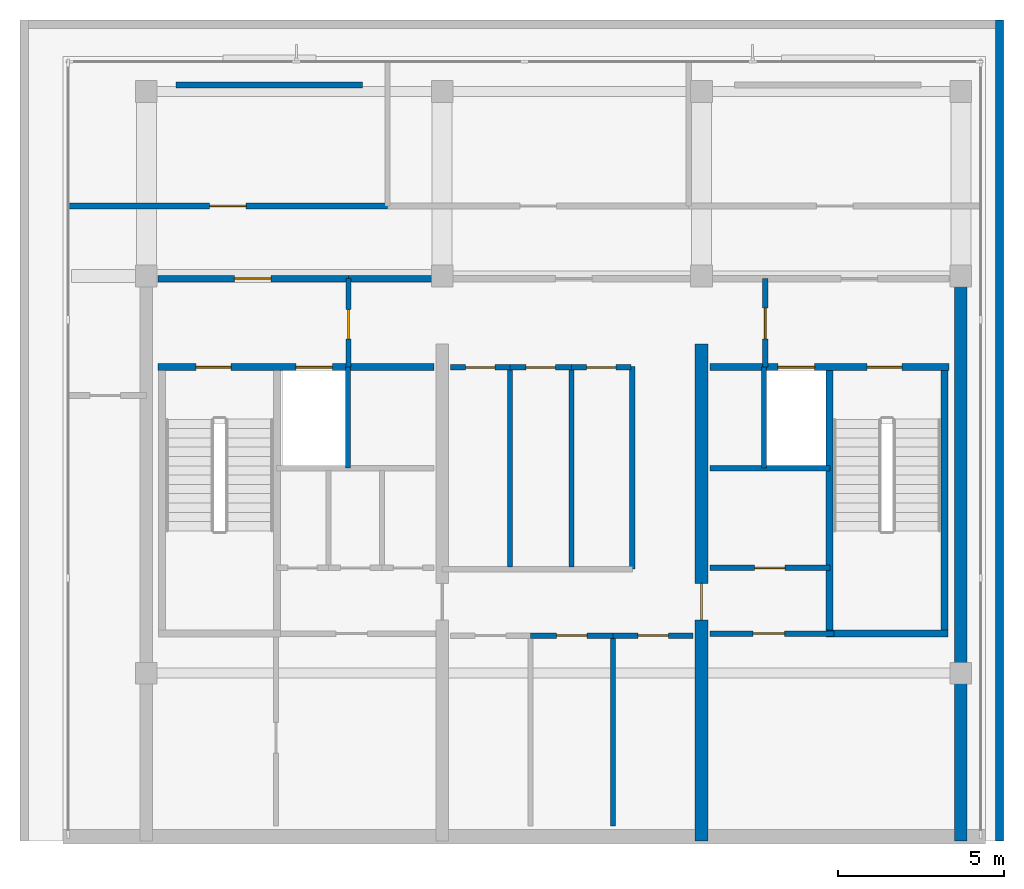
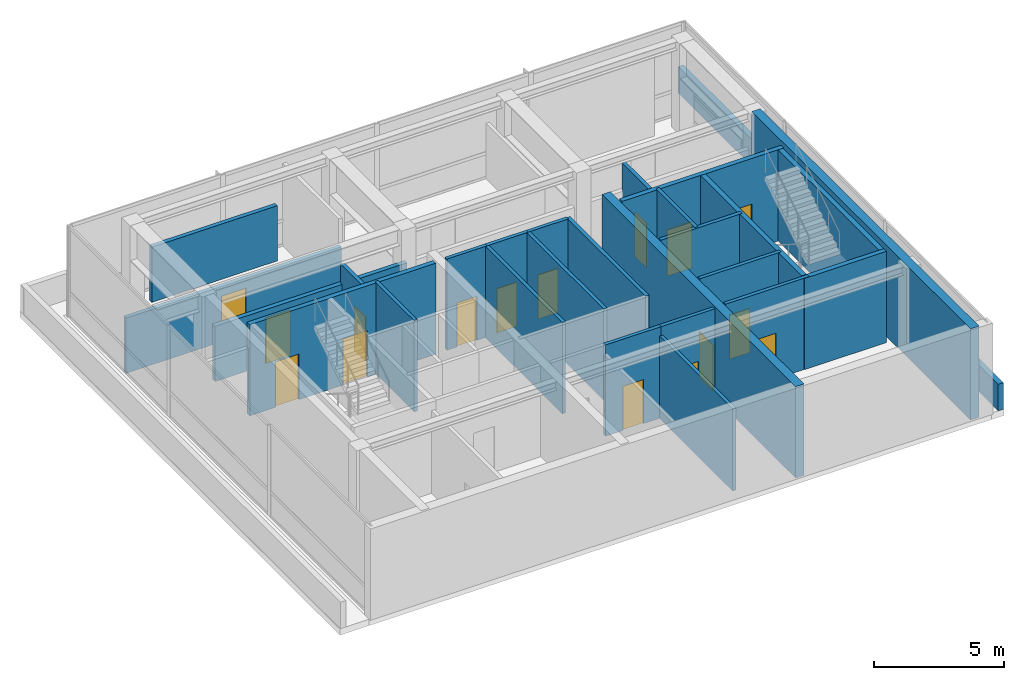
# One storey, part 3 of 5: 28 walls, 16 doors, 16 openings.
"""IFC4 building model written with IfcOpenShell, lengths in metres."""

import ifcopenshell
import ifcopenshell.guid

model = None  # the IFC model being written
_history = None  # IfcOwnerHistory: only IFC2X3 demands one
_inside = {}  # id of a spatial element -> (the spatial element, [elements in it])
_under = {}  # id of a project, library or spatial element -> (it, [spatial elements below it])
_declared = {}  # id of a project -> (the project, [libraries it declares])
_typed = {}  # id of a type object -> (the type object, [elements of that type])
_made_of = {}  # id of a material, layer set ... -> (it, [elements and type objects made of it])


def new_model(schema):
    """Start an empty IFC model of exactly this schema.

    Asked for "IFC4X3", IfcOpenShell would pick the latest addendum, in which some entities
    have other attributes; the version numbers below select the first issue.
    IFC2X3 requires an IfcOwnerHistory on every rooted entity: one is made here for all.
    """
    global model, _history
    if schema == "IFC4X3":
        model = ifcopenshell.file(schema_version=(4, 3, 0, 0))
    else:
        model = ifcopenshell.file(schema=schema)
    _inside.clear()
    _under.clear()
    _declared.clear()
    _typed.clear()
    _made_of.clear()
    _history = None
    if model.schema == "IFC2X3":
        org = make("IfcOrganization", Name="unknown")
        user = make(
            "IfcPersonAndOrganization",
            ThePerson=make("IfcPerson", FamilyName="unknown"),
            TheOrganization=org,
        )
        app = make(
            "IfcApplication",
            ApplicationDeveloper=org,
            Version="unknown",
            ApplicationFullName="unknown",
            ApplicationIdentifier="unknown",
        )
        _history = make(
            "IfcOwnerHistory",
            OwningUser=user,
            OwningApplication=app,
            ChangeAction="ADDED",
            CreationDate=0,
        )
    return model


def make(cls, **values):
    """One entity of the class cls with the attributes given. An attribute that is None is left unset."""
    return model.create_entity(
        cls, **{name: value for name, value in values.items() if value is not None}
    )


def rooted(cls, **values):
    """An entity with a GlobalId (a new one), such as an element, a storey or a relation."""
    return make(cls, GlobalId=ifcopenshell.guid.new(), OwnerHistory=_history, **values)


def si_unit(unit_type, name, prefix=None):
    """IfcSIUnit, for example si_unit("LENGTHUNIT", "METRE", prefix="MILLI")."""
    return make("IfcSIUnit", UnitType=unit_type, Prefix=prefix, Name=name)


def assignment(units):
    """IfcUnitAssignment: the units of a project."""
    return None if units is None else make("IfcUnitAssignment", Units=units)


def point(xyz):
    """IfcCartesianPoint."""
    return None if xyz is None else make("IfcCartesianPoint", Coordinates=xyz)


def direction(xyz):
    """IfcDirection."""
    return None if xyz is None else make("IfcDirection", DirectionRatios=xyz)


def frame(location, z_axis=None, x_axis=None):
    """IfcAxis2Placement3D, a coordinate frame: its origin and axes. An axis left out is left unset."""
    return make(
        "IfcAxis2Placement3D",
        Location=point(location),
        Axis=direction(z_axis),
        RefDirection=direction(x_axis),
    )


def frame_2d(location, x_axis=None):
    """IfcAxis2Placement2D, a coordinate frame in the plane: its origin and x axis."""
    return make(
        "IfcAxis2Placement2D", Location=point(location), RefDirection=direction(x_axis)
    )


def origin():
    """The frame at (0, 0, 0) with its axes left unset."""
    return frame((0.0, 0.0, 0.0))


def place(relative_to, where):
    """IfcLocalPlacement: puts the frame where relative to a parent placement (None: the world)."""
    return make(
        "IfcLocalPlacement", PlacementRelTo=relative_to, RelativePlacement=where
    )


def context(
    kind, dimensions, precision=None, world=None, true_north=None, identifier=None
):
    """IfcGeometricRepresentationContext, for example the 3D "Model" context."""
    return make(
        "IfcGeometricRepresentationContext",
        ContextIdentifier=identifier,
        ContextType=kind,
        CoordinateSpaceDimension=dimensions,
        Precision=precision,
        WorldCoordinateSystem=world,
        TrueNorth=true_north,
    )


def subcontext(parent, identifier, kind, view, scale=None):
    """IfcGeometricRepresentationSubContext, for example "Body" below "Model"."""
    return make(
        "IfcGeometricRepresentationSubContext",
        ContextIdentifier=identifier,
        ContextType=kind,
        ParentContext=parent,
        TargetScale=scale,
        TargetView=view,
    )


def project(units=None, contexts=None):
    """IfcProject with its units and contexts."""
    return rooted(
        "IfcProject",
        Name="project",
        RepresentationContexts=contexts,
        UnitsInContext=assignment(units),
    )


def spatial(cls, under=None, at=None, **own):
    """A site, building, storey or space (cls), placed at a placement, below another one or the project."""
    s = rooted(cls, ObjectPlacement=at, **own)
    if under is not None:
        _under.setdefault(under.id(), (under, []))[1].append(s)
    return s


def profile(cls, at=None, kind="AREA", **sizes):
    """A parametric profile (cls). Its sizes go by their IFC names, for example OverallWidth=200.0."""
    return make(cls, ProfileType=kind, Position=at, **sizes)


def rectangle(**sizes):
    """IfcRectangleProfileDef."""
    return profile("IfcRectangleProfileDef", **sizes)


def extrude(swept, where, along, depth):
    """IfcExtrudedAreaSolid: the profile swept, set in the frame where, extruded along a direction by depth."""
    return make(
        "IfcExtrudedAreaSolid",
        SweptArea=swept,
        Position=where,
        ExtrudedDirection=direction(along),
        Depth=depth,
    )


def shape(context_of_items, identifier, shape_type, items):
    """IfcShapeRepresentation: the items that make up one representation, for example the "Body"."""
    return make(
        "IfcShapeRepresentation",
        ContextOfItems=context_of_items,
        RepresentationIdentifier=identifier,
        RepresentationType=shape_type,
        Items=items,
    )


def material(Name=None, Category=None):
    """IfcMaterial."""
    return make("IfcMaterial", Name=Name, Category=Category)


def layer(
    of_material, thickness, ventilated=None, Name=None, Category=None, Priority=None
):
    """IfcMaterialLayer: one layer of a wall or slab, of a material (None: an air gap)."""
    return make(
        "IfcMaterialLayer",
        Material=of_material,
        LayerThickness=thickness,
        IsVentilated=ventilated,
        Name=Name,
        Category=Category,
        Priority=Priority,
    )


def layer_set(layers, Name=None):
    """IfcMaterialLayerSet."""
    return make("IfcMaterialLayerSet", MaterialLayers=layers, LayerSetName=Name)


def made_of(thing, what):
    """Note that an element or type object is made of a material, layer set ...; save() writes the relation."""
    if what is not None:
        _made_of.setdefault(what.id(), (what, []))[1].append(thing)
    return thing


def type_object(cls, material=None, **own):
    """A type object (cls), such as IfcWallType, which elements share."""
    return made_of(rooted(cls, **own), material)


def element(
    cls,
    number,
    at=None,
    inside=None,
    cuts=None,
    type_object=None,
    material=None,
    context=None,
    identifier="Body",
    shape_type=None,
    held_by="IfcProductDefinitionShape",
    body=None,
    shapes=None,
    **own,
):
    """One element of the class cls, such as IfcWall. Its Tag is "e" and its number.

    at: its placement. inside: the storey or other place that contains it. cuts: it is an
    opening in that element (IfcRelVoidsElement). A single representation is given by context,
    identifier, shape_type and body (its items); several are given by shapes. held_by: the class
    of the entity that holds the representations. save() writes the other relations.
    """
    e = rooted(cls, Tag="e%d" % number, ObjectPlacement=at, **own)
    if body is not None:
        shapes = [shape(context, identifier, shape_type, body)]
    if shapes is not None:
        e.Representation = make(held_by, Representations=shapes)
    if inside is not None:
        _inside.setdefault(inside.id(), (inside, []))[1].append(e)
    if cuts is not None:
        rooted(
            "IfcRelVoidsElement", RelatingBuildingElement=cuts, RelatedOpeningElement=e
        )
    if type_object is not None:
        _typed.setdefault(type_object.id(), (type_object, []))[1].append(e)
    return made_of(e, material)


def fill(opening, filler):
    """IfcRelFillsElement: the door or window that sits in an opening."""
    return rooted(
        "IfcRelFillsElement",
        RelatingOpeningElement=opening,
        RelatedBuildingElement=filler,
    )


def aggregate(whole, parts):
    """IfcRelAggregates: a whole, such as a stair, and the parts it consists of."""
    return rooted("IfcRelAggregates", RelatingObject=whole, RelatedObjects=parts)


def save(model, path):
    """Write the relations noted so far, then the file.

    IfcRelAggregates (storeys below a building ...), IfcRelContainedInSpatialStructure (elements
    in a storey), IfcRelDefinesByType, IfcRelAssociatesMaterial and IfcRelDeclares: one each for
    every whole, place, type object, material and project.
    """
    for whole, parts in _under.values():
        aggregate(whole, parts)
    for where, things in _inside.values():
        rooted(
            "IfcRelContainedInSpatialStructure",
            RelatedElements=things,
            RelatingStructure=where,
        )
    for kind, things in _typed.values():
        rooted("IfcRelDefinesByType", RelatedObjects=things, RelatingType=kind)
    for what, things in _made_of.values():
        rooted("IfcRelAssociatesMaterial", RelatedObjects=things, RelatingMaterial=what)
    for by, libraries in _declared.values():
        rooted("IfcRelDeclares", RelatingContext=by, RelatedDefinitions=libraries)
    model.write(path)


model = new_model("IFC4")

# Units and contexts
model_context = context("Model", 3, precision=1e-05, world=origin(), true_north=direction((0.0, 1.0)))
body_context = subcontext(model_context, "Body", "Model", "MODEL_VIEW")
ifc_project = project(units=[si_unit("LENGTHUNIT", "METRE"), si_unit("AREAUNIT", "SQUARE_METRE"), si_unit("VOLUMEUNIT", "CUBIC_METRE"), si_unit("PLANEANGLEUNIT", "RADIAN"), si_unit("MASSUNIT", "GRAM", prefix="KILO")], contexts=[model_context])

# Site, building, storey
site_placement = place(None, origin())
site = spatial("IfcSite", under=ifc_project, at=site_placement, CompositionType="ELEMENT")
building_placement = place(site_placement, origin())
building = spatial("IfcBuilding", under=site, at=building_placement, Name="Qalmaran Belvedere Hotel", CompositionType="ELEMENT")
storey_placement = place(building_placement, frame((0.0, 0.0, 303.300048828125)))
storey = spatial("IfcBuildingStorey", under=building, at=storey_placement, Name="C02", CompositionType="ELEMENT", Elevation=303.300048828125)

# Wall
ifc_material_1 = material(Name="Concrete C50/60", Category="concrete")
ifc_layer_1 = layer(ifc_material_1, 0.3798828125, Name="Concrete C50/60")
ifc_layer_set_1 = layer_set([ifc_layer_1], Name="Concrete C50/60")
wall_type_1 = type_object("IfcWallType", Name="WL-CORE-380-C50", PredefinedType="SHEAR", material=ifc_layer_set_1)
wall_1_placement = place(storey_placement, frame((44.800048828125, 3.5, 0.0), z_axis=(0.0, 0.0, 1.0), x_axis=(0.0, 1.0, 0.0)))
element("IfcWall", 1, at=wall_1_placement, inside=storey, type_object=wall_type_1, Name="C02 East Core Shear Wall", PredefinedType="SHEAR", context=body_context, shape_type="SweptSolid", body=[
    extrude(rectangle(XDim=16.89990234375, YDim=0.3798828125, at=frame_2d((8.449951171875, 0.0))), origin(), (0.0, 0.0, 1.0), 4.300048828125),
])

# Wall, opening, door
wall_2_placement = place(storey_placement, frame((37.0, 3.5, 0.0), z_axis=(0.0, 0.0, 1.0), x_axis=(0.0, 1.0, 0.0)))
wall_2 = element("IfcWall", 2, at=wall_2_placement, inside=storey, type_object=wall_type_1, Name="C02 Core East Spine Shear Wall", PredefinedType="SHEAR", context=body_context, shape_type="SweptSolid", body=[
    extrude(rectangle(XDim=14.949951171875, YDim=0.3798828125, at=frame_2d((7.47509765625, 0.0))), origin(), (0.0, 0.0, 1.0), 4.300048828125),
])
opening_1_placement = place(wall_2_placement, frame((6.64990234375, 0.0, 0.0)))
opening_1 = element("IfcOpeningElement", 3, at=opening_1_placement, cuts=wall_2, Name="Opening FD90", PredefinedType="OPENING", context=body_context, shape_type="SweptSolid", body=[
    extrude(rectangle(XDim=1.10009765625, YDim=2.14990234375, at=frame_2d((0.550048828125, 1.074951171875))), frame((0.0, 0.199951171875, 0.0), z_axis=(0.0, -1.0, 0.0), x_axis=(1.0, 0.0, 0.0)), (0.0, 0.0, 1.0), 0.39990234375),
])
ifc_material_2 = material(Name="Steel S355JR", Category="steel")
door_type_1 = type_object("IfcDoorType", Name="DR-FD90-1100X2150", OperationType="NOTDEFINED", PredefinedType="DOOR", material=ifc_material_2)
door_1_placement = place(opening_1_placement, origin())
door_1 = element("IfcDoor", 4, at=door_1_placement, inside=storey, type_object=door_type_1, Name="C02 Core East Cross-Lobby Door", OperationType="SINGLE_SWING_LEFT", OverallHeight=2.14990234375, OverallWidth=1.10009765625, PredefinedType="DOOR", context=body_context, shape_type="SweptSolid", body=[
    extrude(rectangle(XDim=1.10009765625, YDim=2.14990234375, at=frame_2d((0.550048828125, 1.074951171875))), frame((0.0, 0.02490234375, 0.0), z_axis=(0.0, -1.0, 0.0), x_axis=(1.0, 0.0, 0.0)), (0.0, 0.0, 1.0), 0.050048828125),
])
fill(opening_1, door_1)

# Walls
ifc_material_3 = material(Name="Anodised Bronze Cladding")
ifc_layer_2 = layer(ifc_material_3, 0.18505859375, Name="Anodised Bronze Cladding")
ifc_layer_set_2 = layer_set([ifc_layer_2], Name="Anodised Bronze Cladding")
wall_type_2 = type_object("IfcWallType", Name="WL-CRN-SCRN-185", PredefinedType="ELEMENTEDWALL", material=ifc_layer_set_2)
wall_3_placement = place(storey_placement, frame((21.199951171875, 26.25, 0.0), z_axis=(0.0, 0.0, 1.0), x_axis=(1.0, 0.0, 0.0)))
element("IfcWall", 5, at=wall_3_placement, inside=storey, type_object=wall_type_2, Name="C02 Crown Acoustic Screen N1", PredefinedType="ELEMENTEDWALL", context=body_context, shape_type="SweptSolid", body=[
    extrude(rectangle(XDim=5.60009765625, YDim=0.18505859375, at=frame_2d((2.800048828125, 0.0))), origin(), (0.0, 0.0, 1.0), 2.60498046875),
])
ifc_material_4 = material(Name="Gypsum Stud Partition")
ifc_layer_3 = layer(ifc_material_4, 0.14990234375, Name="Gypsum Stud Partition")
ifc_layer_set_3 = layer_set([ifc_layer_3], Name="Gypsum Stud Partition")
wall_type_3 = type_object("IfcWallType", Name="WL-INT-150-EI120", PredefinedType="PARTITIONING", material=ifc_layer_set_3)
for number, where, z_axis, x_axis, name in (
    (6, (26.360107421875, 14.719970703125, 0.0), (0.0, 0.0, 1.0), (0.0, 1.0, 0.0), "C02 Partition WL-FF1M-C02"),
    (7, (38.8798828125, 14.719970703125, 0.0), (0.0, 0.0, 1.0), (0.0, 1.0, 0.0), "C02 Partition WL-FF2M-C02"),
):
    element("IfcWall", number, at=place(storey_placement, frame(where, z_axis=z_axis, x_axis=x_axis)), inside=storey, type_object=wall_type_3, Name=name, PredefinedType="PARTITIONING", context=body_context, shape_type="SweptSolid", body=[
        extrude(rectangle(XDim=3.0400390625, YDim=0.14990234375, at=frame_2d((1.52001953125, 0.0))), origin(), (0.0, 0.0, 1.0), 4.300048828125),
    ])
ifc_layer_4 = layer(ifc_material_4, 0.14990234375, Name="Gypsum Stud Partition")
ifc_layer_set_4 = layer_set([ifc_layer_4], Name="Gypsum Stud Partition")
wall_type_4 = type_object("IfcWallType", Name="WL-INT-150-EI60", PredefinedType="PARTITIONING", material=ifc_layer_set_4)
wall_4_placement = place(storey_placement, frame((34.341064453125, 3.949951171875, 0.0), z_axis=(0.0, 0.0, 1.0), x_axis=(0.0, 1.0, 0.0)))
element("IfcWall", 8, at=wall_4_placement, inside=storey, type_object=wall_type_4, Name="C02 Partition WL-C02-KPLV2", PredefinedType="PARTITIONING", context=body_context, shape_type="SweptSolid", body=[
    extrude(rectangle(XDim=5.72998046875, YDim=0.14990234375, at=frame_2d((2.864990234375, 0.0))), origin(), (0.0, 0.0, 1.0), 3.885009765625),
])
for number, where, z_axis, x_axis, name in (
    (9, (31.241943359375, 11.739990234375, 0.0), (0.0, 0.0, 1.0), (0.0, 1.0, 0.0), "C02 Partition WL-C02-KPMV1"),
    (10, (33.088134765625, 11.739990234375, 0.0), (0.0, 0.0, 1.0), (0.0, 1.0, 0.0), "C02 Partition WL-C02-KPMV2"),
):
    element("IfcWall", number, at=place(storey_placement, frame(where, z_axis=z_axis, x_axis=x_axis)), inside=storey, type_object=wall_type_4, Name=name, PredefinedType="PARTITIONING", context=body_context, shape_type="SweptSolid", body=[
        extrude(rectangle(XDim=6.010009765625, YDim=0.14990234375, at=frame_2d((3.0048828125, 0.0))), origin(), (0.0, 0.0, 1.0), 4.300048828125),
    ])

# Wall, opening, door
ifc_layer_5 = layer(ifc_material_4, 0.159912109375, Name="Gypsum Stud Partition")
ifc_layer_set_5 = layer_set([ifc_layer_5], Name="Gypsum Stud Partition")
wall_type_5 = type_object("IfcWallType", Name="WL-INT-160-EI120", PredefinedType="PARTITIONING", material=ifc_layer_set_5)
wall_5_placement = place(storey_placement, frame((26.3798828125, 17.760009765625, 0.0), z_axis=(0.0, 0.0, 1.0), x_axis=(0.0, 1.0, 0.0)))
wall_5 = element("IfcWall", 11, at=wall_5_placement, inside=storey, type_object=wall_type_5, Name="C02 Partition WL-FFSV1-C02", PredefinedType="PARTITIONING", context=body_context, shape_type="SweptSolid", body=[
    extrude(rectangle(XDim=2.659912109375, YDim=0.159912109375, at=frame_2d((1.330078125, 0.0))), origin(), (0.0, 0.0, 1.0), 3.511962890625),
])
opening_2_placement = place(wall_5_placement, frame((0.85009765625, 0.0, 0.0)))
opening_2 = element("IfcOpeningElement", 12, at=opening_2_placement, cuts=wall_5, Name="Opening FD60B", PredefinedType="OPENING", context=body_context, shape_type="SweptSolid", body=[
    extrude(rectangle(XDim=0.8798828125, YDim=2.080078125, at=frame_2d((0.43994140625, 1.0400390625))), frame((0.0, 0.08984375, 0.0), z_axis=(0.0, -1.0, 0.0), x_axis=(1.0, 0.0, 0.0)), (0.0, 0.0, 1.0), 0.179931640625),
])
door_type_2 = type_object("IfcDoorType", Name="DR-FD60B-880X2080", OperationType="NOTDEFINED", PredefinedType="DOOR", material=ifc_material_2)
door_2_placement = place(opening_2_placement, origin())
door_2 = element("IfcDoor", 13, at=door_2_placement, inside=storey, type_object=door_type_2, Name="C02 Service Lobby West Door", OperationType="SINGLE_SWING_RIGHT", OverallHeight=2.080078125, OverallWidth=0.8798828125, PredefinedType="DOOR", context=body_context, shape_type="SweptSolid", body=[
    extrude(rectangle(XDim=0.8798828125, YDim=2.080078125, at=frame_2d((0.43994140625, 1.0400390625))), frame((0.0, 0.02490234375, 0.0), z_axis=(0.0, -1.0, 0.0), x_axis=(1.0, 0.0, 0.0)), (0.0, 0.0, 1.0), 0.050048828125),
])
fill(opening_2, door_2)

wall_6_placement = place(storey_placement, frame((38.919921875, 17.760009765625, 0.0), z_axis=(0.0, 0.0, 1.0), x_axis=(0.0, 1.0, 0.0)))
wall_6 = element("IfcWall", 14, at=wall_6_placement, inside=storey, type_object=wall_type_5, Name="C02 Partition WL-FFSV2-C02", PredefinedType="PARTITIONING", context=body_context, shape_type="SweptSolid", body=[
    extrude(rectangle(XDim=2.659912109375, YDim=0.159912109375, at=frame_2d((1.330078125, 0.0))), origin(), (0.0, 0.0, 1.0), 3.885009765625),
])
opening_3_placement = place(wall_6_placement, frame((1.77001953125, 0.0, 0.0), z_axis=(0.0, 0.0, 1.0), x_axis=(-1.0, 0.0, 0.0)))
opening_3 = element("IfcOpeningElement", 15, at=opening_3_placement, cuts=wall_6, Name="Opening FD60S1", PredefinedType="OPENING", context=body_context, shape_type="SweptSolid", body=[
    extrude(rectangle(XDim=0.919921875, YDim=2.080078125, at=frame_2d((0.4599609375, 1.0400390625))), frame((0.0, 0.08984375, 0.0), z_axis=(0.0, -1.0, 0.0), x_axis=(1.0, 0.0, 0.0)), (0.0, 0.0, 1.0), 0.179931640625),
])
ifc_material_5 = material(Name="Engineered Oak Veneer")
door_type_3 = type_object("IfcDoorType", Name="DR-FD60S-920X2080", OperationType="NOTDEFINED", PredefinedType="DOOR", material=ifc_material_5)
door_3_placement = place(opening_3_placement, origin())
door_3 = element("IfcDoor", 16, at=door_3_placement, inside=storey, type_object=door_type_3, Name="C02 Service Lobby East Door", OperationType="SINGLE_SWING_LEFT", OverallHeight=2.080078125, OverallWidth=0.919921875, PredefinedType="DOOR", context=body_context, shape_type="SweptSolid", body=[
    extrude(rectangle(XDim=0.919921875, YDim=2.080078125, at=frame_2d((0.4599609375, 1.0400390625))), frame((0.0, 0.02490234375, 0.0), z_axis=(0.0, -1.0, 0.0), x_axis=(1.0, 0.0, 0.0)), (0.0, 0.0, 1.0), 0.050048828125),
])
fill(opening_3, door_3)

# Wall
wall_7_placement = place(storey_placement, frame((37.25, 14.719970703125, 0.0), z_axis=(0.0, 0.0, 1.0), x_axis=(1.0, 0.0, 0.0)))
element("IfcWall", 17, at=wall_7_placement, inside=storey, type_object=wall_type_5, Name="C02 Partition WL-FF2S-C02", PredefinedType="PARTITIONING", context=body_context, shape_type="SweptSolid", body=[
    extrude(rectangle(XDim=3.610107421875, YDim=0.159912109375, at=frame_2d((1.80517578125, 0.0))), origin(), (0.0, 0.0, 1.0), 4.300048828125),
])

# Wall, opening, door
ifc_layer_6 = layer(ifc_material_4, 0.159912109375, Name="Gypsum Stud Partition")
ifc_layer_set_6 = layer_set([ifc_layer_6], Name="Gypsum Stud Partition")
wall_type_6 = type_object("IfcWallType", Name="WL-INT-160-EI60", PredefinedType="PARTITIONING", material=ifc_layer_set_6)
wall_8_placement = place(storey_placement, frame((37.25, 11.719970703125, 0.0), z_axis=(0.0, 0.0, 1.0), x_axis=(1.0, 0.0, 0.0)))
wall_8 = element("IfcWall", 18, at=wall_8_placement, inside=storey, type_object=wall_type_6, Name="C02 Partition WL-C02-KEE1", PredefinedType="PARTITIONING", context=body_context, shape_type="SweptSolid", body=[
    extrude(rectangle(XDim=3.610107421875, YDim=0.159912109375, at=frame_2d((1.80517578125, 0.0))), origin(), (0.0, 0.0, 1.0), 4.300048828125),
])
opening_4_placement = place(wall_8_placement, frame((1.344970703125, 0.0, 0.0)))
opening_4 = element("IfcOpeningElement", 19, at=opening_4_placement, cuts=wall_8, Name="Opening FD60S1", PredefinedType="OPENING", context=body_context, shape_type="SweptSolid", body=[
    extrude(rectangle(XDim=0.919921875, YDim=2.080078125, at=frame_2d((0.4599609375, 1.0400390625))), frame((0.0, 0.08984375, 0.0), z_axis=(0.0, -1.0, 0.0), x_axis=(1.0, 0.0, 0.0)), (0.0, 0.0, 1.0), 0.179931640625),
])
door_4_placement = place(opening_4_placement, origin())
door_4 = element("IfcDoor", 20, at=door_4_placement, inside=storey, type_object=door_type_3, Name="C02 Fire Main Valve Plant Room Door", OperationType="SINGLE_SWING_RIGHT", OverallHeight=2.080078125, OverallWidth=0.919921875, PredefinedType="DOOR", context=body_context, shape_type="SweptSolid", body=[
    extrude(rectangle(XDim=0.919921875, YDim=2.080078125, at=frame_2d((0.4599609375, 1.0400390625))), frame((0.0, 0.02490234375, 0.0), z_axis=(0.0, -1.0, 0.0), x_axis=(1.0, 0.0, 0.0)), (0.0, 0.0, 1.0), 0.050048828125),
])
fill(opening_4, door_4)

wall_9_placement = place(storey_placement, frame((37.25, 9.739990234375, 0.0), z_axis=(0.0, 0.0, 1.0), x_axis=(1.0, 0.0, 0.0)))
wall_9 = element("IfcWall", 21, at=wall_9_placement, inside=storey, type_object=wall_type_6, Name="C02 Partition WL-PHFR-C02", PredefinedType="PARTITIONING", context=body_context, shape_type="SweptSolid", body=[
    extrude(rectangle(XDim=3.72998046875, YDim=0.159912109375, at=frame_2d((1.864990234375, 0.0))), origin(), (0.0, 0.0, 1.0), 4.300048828125),
])
opening_5_placement = place(wall_9_placement, frame((2.25, 0.0, 0.0), z_axis=(0.0, 0.0, 1.0), x_axis=(-1.0, 0.0, 0.0)))
opening_5 = element("IfcOpeningElement", 22, at=opening_5_placement, cuts=wall_9, Name="Opening FD60", PredefinedType="OPENING", context=body_context, shape_type="SweptSolid", body=[
    extrude(rectangle(XDim=0.949951171875, YDim=2.14990234375, at=frame_2d((0.47509765625, 1.074951171875))), frame((0.0, 0.08984375, 0.0), z_axis=(0.0, -1.0, 0.0), x_axis=(1.0, 0.0, 0.0)), (0.0, 0.0, 1.0), 0.179931640625),
])
door_type_4 = type_object("IfcDoorType", Name="DR-FD60-950X2150", OperationType="NOTDEFINED", PredefinedType="DOOR", material=ifc_material_5)
door_5_placement = place(opening_5_placement, origin())
door_5 = element("IfcDoor", 23, at=door_5_placement, inside=storey, type_object=door_type_4, Name="C02 Freed PH Room Door", OperationType="SINGLE_SWING_LEFT", OverallHeight=2.14990234375, OverallWidth=0.949951171875, PredefinedType="DOOR", context=body_context, shape_type="SweptSolid", body=[
    extrude(rectangle(XDim=0.949951171875, YDim=2.14990234375, at=frame_2d((0.47509765625, 1.074951171875))), frame((0.0, 0.02490234375, 0.0), z_axis=(0.0, -1.0, 0.0), x_axis=(1.0, 0.0, 0.0)), (0.0, 0.0, 1.0), 0.050048828125),
])
fill(opening_5, door_5)

# Wall
wall_10_placement = place(storey_placement, frame((34.919921875, 11.679931640625, 0.0), z_axis=(0.0, 0.0, 1.0), x_axis=(0.0, 1.0, 0.0)))
element("IfcWall", 24, at=wall_10_placement, inside=storey, type_object=wall_type_6, Name="C02 Partition WL-CLLV-C02", PredefinedType="PARTITIONING", context=body_context, shape_type="SweptSolid", body=[
    extrude(rectangle(XDim=6.10009765625, YDim=0.159912109375, at=frame_2d((3.050048828125, 0.0))), origin(), (0.0, 0.0, 1.0), 4.300048828125),
])

# Wall, opening, door
wall_11_placement = place(storey_placement, frame((31.85888671875, 9.679931640625, 0.0), z_axis=(0.0, 0.0, 1.0), x_axis=(1.0, 0.0, 0.0)))
wall_11 = element("IfcWall", 25, at=wall_11_placement, inside=storey, type_object=wall_type_6, Name="C02 Partition WL-C02-KPLE2", PredefinedType="PARTITIONING", context=body_context, shape_type="SweptSolid", body=[
    extrude(rectangle(XDim=2.482177734375, YDim=0.159912109375, at=frame_2d((1.2412109375, 0.0))), origin(), (0.0, 0.0, 1.0), 4.300048828125),
])
opening_6_placement = place(wall_11_placement, frame((1.700927734375, 0.0, 0.0), z_axis=(0.0, 0.0, 1.0), x_axis=(-1.0, 0.0, 0.0)))
opening_6 = element("IfcOpeningElement", 26, at=opening_6_placement, cuts=wall_11, Name="Opening FD60S1", PredefinedType="OPENING", context=body_context, shape_type="SweptSolid", body=[
    extrude(rectangle(XDim=0.919921875, YDim=2.080078125, at=frame_2d((0.4599609375, 1.0400390625))), frame((0.0, 0.08984375, 0.0), z_axis=(0.0, -1.0, 0.0), x_axis=(1.0, 0.0, 0.0)), (0.0, 0.0, 1.0), 0.179931640625),
])
door_6_placement = place(opening_6_placement, origin())
door_6 = element("IfcDoor", 27, at=door_6_placement, inside=storey, type_object=door_type_3, Name="C02 BMS Control Plant Room Door", OperationType="SINGLE_SWING_LEFT", OverallHeight=2.080078125, OverallWidth=0.919921875, PredefinedType="DOOR", context=body_context, shape_type="SweptSolid", body=[
    extrude(rectangle(XDim=0.919921875, YDim=2.080078125, at=frame_2d((0.4599609375, 1.0400390625))), frame((0.0, 0.02490234375, 0.0), z_axis=(0.0, -1.0, 0.0), x_axis=(1.0, 0.0, 0.0)), (0.0, 0.0, 1.0), 0.050048828125),
])
fill(opening_6, door_6)

wall_12_placement = place(storey_placement, frame((34.341064453125, 9.679931640625, 0.0), z_axis=(0.0, 0.0, 1.0), x_axis=(1.0, 0.0, 0.0)))
wall_12 = element("IfcWall", 28, at=wall_12_placement, inside=storey, type_object=wall_type_6, Name="C02 Partition WL-C02-KPLE3", PredefinedType="PARTITIONING", context=body_context, shape_type="SweptSolid", body=[
    extrude(rectangle(XDim=2.408935546875, YDim=0.159912109375, at=frame_2d((1.20458984375, 0.0))), origin(), (0.0, 0.0, 1.0), 4.300048828125),
])
opening_7_placement = place(wall_12_placement, frame((1.664306640625, 0.0, 0.0), z_axis=(0.0, 0.0, 1.0), x_axis=(-1.0, 0.0, 0.0)))
opening_7 = element("IfcOpeningElement", 29, at=opening_7_placement, cuts=wall_12, Name="Opening FD60S1", PredefinedType="OPENING", context=body_context, shape_type="SweptSolid", body=[
    extrude(rectangle(XDim=0.919921875, YDim=2.080078125, at=frame_2d((0.4599609375, 1.0400390625))), frame((0.0, 0.08984375, 0.0), z_axis=(0.0, -1.0, 0.0), x_axis=(1.0, 0.0, 0.0)), (0.0, 0.0, 1.0), 0.179931640625),
])
door_7_placement = place(opening_7_placement, origin())
door_7 = element("IfcDoor", 30, at=door_7_placement, inside=storey, type_object=door_type_3, Name="C02 Chilled Water Header Plant Room Door", OperationType="SINGLE_SWING_RIGHT", OverallHeight=2.080078125, OverallWidth=0.919921875, PredefinedType="DOOR", context=body_context, shape_type="SweptSolid", body=[
    extrude(rectangle(XDim=0.919921875, YDim=2.080078125, at=frame_2d((0.4599609375, 1.0400390625))), frame((0.0, 0.02490234375, 0.0), z_axis=(0.0, -1.0, 0.0), x_axis=(1.0, 0.0, 0.0)), (0.0, 0.0, 1.0), 0.050048828125),
])
fill(opening_7, door_7)

wall_13_placement = place(storey_placement, frame((29.449951171875, 17.75, 0.0), z_axis=(0.0, 0.0, 1.0), x_axis=(1.0, 0.0, 0.0)))
wall_13 = element("IfcWall", 31, at=wall_13_placement, inside=storey, type_object=wall_type_6, Name="C02 Partition WL-C02-KPME1", PredefinedType="PARTITIONING", context=body_context, shape_type="SweptSolid", body=[
    extrude(rectangle(XDim=1.7919921875, YDim=0.159912109375, at=frame_2d((0.89599609375, 0.0))), origin(), (0.0, 0.0, 1.0), 4.300048828125),
])
opening_8_placement = place(wall_13_placement, frame((1.3359375, 0.0, 0.0), z_axis=(0.0, 0.0, 1.0), x_axis=(-1.0, 0.0, 0.0)))
opening_8 = element("IfcOpeningElement", 32, at=opening_8_placement, cuts=wall_13, Name="Opening FD60B", PredefinedType="OPENING", context=body_context, shape_type="SweptSolid", body=[
    extrude(rectangle(XDim=0.8798828125, YDim=2.080078125, at=frame_2d((0.43994140625, 1.0400390625))), frame((0.0, 0.08984375, 0.0), z_axis=(0.0, -1.0, 0.0), x_axis=(1.0, 0.0, 0.0)), (0.0, 0.0, 1.0), 0.179931640625),
])
door_8_placement = place(opening_8_placement, origin())
door_8 = element("IfcDoor", 33, at=door_8_placement, inside=storey, type_object=door_type_2, Name="C02 Telecom UPS Plant Room Door", OperationType="SINGLE_SWING_LEFT", OverallHeight=2.080078125, OverallWidth=0.8798828125, PredefinedType="DOOR", context=body_context, shape_type="SweptSolid", body=[
    extrude(rectangle(XDim=0.8798828125, YDim=2.080078125, at=frame_2d((0.43994140625, 1.0400390625))), frame((0.0, 0.02490234375, 0.0), z_axis=(0.0, -1.0, 0.0), x_axis=(1.0, 0.0, 0.0)), (0.0, 0.0, 1.0), 0.050048828125),
])
fill(opening_8, door_8)

wall_14_placement = place(storey_placement, frame((31.241943359375, 17.75, 0.0), z_axis=(0.0, 0.0, 1.0), x_axis=(1.0, 0.0, 0.0)))
wall_14 = element("IfcWall", 34, at=wall_14_placement, inside=storey, type_object=wall_type_6, Name="C02 Partition WL-C02-KPME2", PredefinedType="PARTITIONING", context=body_context, shape_type="SweptSolid", body=[
    extrude(rectangle(XDim=1.84619140625, YDim=0.159912109375, at=frame_2d((0.923095703125, 0.0))), origin(), (0.0, 0.0, 1.0), 4.300048828125),
])
opening_9_placement = place(wall_14_placement, frame((1.363037109375, 0.0, 0.0), z_axis=(0.0, 0.0, 1.0), x_axis=(-1.0, 0.0, 0.0)))
opening_9 = element("IfcOpeningElement", 35, at=opening_9_placement, cuts=wall_14, Name="Opening FD60B", PredefinedType="OPENING", context=body_context, shape_type="SweptSolid", body=[
    extrude(rectangle(XDim=0.8798828125, YDim=2.080078125, at=frame_2d((0.43994140625, 1.0400390625))), frame((0.0, 0.08984375, 0.0), z_axis=(0.0, -1.0, 0.0), x_axis=(1.0, 0.0, 0.0)), (0.0, 0.0, 1.0), 0.179931640625),
])
door_9_placement = place(opening_9_placement, origin())
door_9 = element("IfcDoor", 36, at=door_9_placement, inside=storey, type_object=door_type_2, Name="C02 Ventilation Fan Plant Room Door", OperationType="SINGLE_SWING_RIGHT", OverallHeight=2.080078125, OverallWidth=0.8798828125, PredefinedType="DOOR", context=body_context, shape_type="SweptSolid", body=[
    extrude(rectangle(XDim=0.8798828125, YDim=2.080078125, at=frame_2d((0.43994140625, 1.0400390625))), frame((0.0, 0.02490234375, 0.0), z_axis=(0.0, -1.0, 0.0), x_axis=(1.0, 0.0, 0.0)), (0.0, 0.0, 1.0), 0.050048828125),
])
fill(opening_9, door_9)

wall_15_placement = place(storey_placement, frame((33.088134765625, 17.75, 0.0), z_axis=(0.0, 0.0, 1.0), x_axis=(1.0, 0.0, 0.0)))
wall_15 = element("IfcWall", 37, at=wall_15_placement, inside=storey, type_object=wall_type_6, Name="C02 Partition WL-C02-KPME3", PredefinedType="PARTITIONING", context=body_context, shape_type="SweptSolid", body=[
    extrude(rectangle(XDim=1.791748046875, YDim=0.159912109375, at=frame_2d((0.89599609375, 0.0))), origin(), (0.0, 0.0, 1.0), 4.300048828125),
])
opening_10_placement = place(wall_15_placement, frame((1.3359375, 0.0, 0.0), z_axis=(0.0, 0.0, 1.0), x_axis=(-1.0, 0.0, 0.0)))
opening_10 = element("IfcOpeningElement", 38, at=opening_10_placement, cuts=wall_15, Name="Opening FD60B", PredefinedType="OPENING", context=body_context, shape_type="SweptSolid", body=[
    extrude(rectangle(XDim=0.8798828125, YDim=2.080078125, at=frame_2d((0.43994140625, 1.0400390625))), frame((0.0, 0.08984375, 0.0), z_axis=(0.0, -1.0, 0.0), x_axis=(1.0, 0.0, 0.0)), (0.0, 0.0, 1.0), 0.179931640625),
])
door_10_placement = place(opening_10_placement, origin())
door_10 = element("IfcDoor", 39, at=door_10_placement, inside=storey, type_object=door_type_2, Name="C02 Auxiliary Fan Plant Room Door", OperationType="SINGLE_SWING_LEFT", OverallHeight=2.080078125, OverallWidth=0.8798828125, PredefinedType="DOOR", context=body_context, shape_type="SweptSolid", body=[
    extrude(rectangle(XDim=0.8798828125, YDim=2.080078125, at=frame_2d((0.43994140625, 1.0400390625))), frame((0.0, 0.02490234375, 0.0), z_axis=(0.0, -1.0, 0.0), x_axis=(1.0, 0.0, 0.0)), (0.0, 0.0, 1.0), 0.050048828125),
])
fill(opening_10, door_10)

ifc_layer_7 = layer(ifc_material_4, 0.179931640625, Name="Gypsum Stud Partition")
ifc_layer_set_7 = layer_set([ifc_layer_7], Name="Gypsum Stud Partition")
wall_type_7 = type_object("IfcWallType", Name="WL-INT-180-EI120", PredefinedType="PARTITIONING", material=ifc_layer_set_7)
wall_16_placement = place(storey_placement, frame((17.949951171875, 22.610107421875, 0.0), z_axis=(0.0, 0.0, 1.0), x_axis=(1.0, 0.0, 0.0)))
wall_16 = element("IfcWall", 40, at=wall_16_placement, inside=storey, type_object=wall_type_7, Name="C02 Partition WL-C02-CCN1", PredefinedType="PARTITIONING", context=body_context, shape_type="SweptSolid", body=[
    extrude(rectangle(XDim=9.607666015625, YDim=0.179931640625, at=frame_2d((4.8037109375, 0.0))), origin(), (0.0, 0.0, 1.0), 2.60498046875),
])
opening_11_placement = place(wall_16_placement, frame((4.25390625, 0.0, 0.0)))
opening_11 = element("IfcOpeningElement", 41, at=opening_11_placement, cuts=wall_16, Name="Opening FD90", PredefinedType="OPENING", context=body_context, shape_type="SweptSolid", body=[
    extrude(rectangle(XDim=1.10009765625, YDim=2.14990234375, at=frame_2d((0.550048828125, 1.074951171875))), frame((0.0, 0.10009765625, 0.0), z_axis=(0.0, -1.0, 0.0), x_axis=(1.0, 0.0, 0.0)), (0.0, 0.0, 1.0), 0.199951171875),
])
door_11_placement = place(opening_11_placement, origin())
door_11 = element("IfcDoor", 42, at=door_11_placement, inside=storey, type_object=door_type_1, Name="C02 Heat Rejection Chiller Plant Room Door", OperationType="SINGLE_SWING_RIGHT", OverallHeight=2.14990234375, OverallWidth=1.10009765625, PredefinedType="DOOR", context=body_context, shape_type="SweptSolid", body=[
    extrude(rectangle(XDim=1.10009765625, YDim=2.14990234375, at=frame_2d((0.550048828125, 1.074951171875))), frame((0.0, 0.02490234375, 0.0), z_axis=(0.0, -1.0, 0.0), x_axis=(1.0, 0.0, 0.0)), (0.0, 0.0, 1.0), 0.050048828125),
])
fill(opening_11, door_11)

ifc_material_6 = material(Name="Concrete C30/37 Blockwork", Category="masonry")
ifc_layer_8 = layer(ifc_material_6, 0.199951171875, Name="Concrete C30/37 Blockwork")
ifc_layer_set_8 = layer_set([ifc_layer_8], Name="Concrete C30/37 Blockwork")
wall_type_8 = type_object("IfcWallType", Name="WL-INT-200-EI120", PredefinedType="PARTITIONING", material=ifc_layer_set_8)
wall_17_placement = place(storey_placement, frame((20.64990234375, 20.419921875, 0.0), z_axis=(0.0, 0.0, 1.0), x_axis=(1.0, 0.0, 0.0)))
wall_17 = element("IfcWall", 43, at=wall_17_placement, inside=storey, type_object=wall_type_8, Name="C02 Partition WL-CN1A-C02", PredefinedType="PARTITIONING", context=body_context, shape_type="SweptSolid", body=[
    extrude(rectangle(XDim=5.72998046875, YDim=0.199951171875, at=frame_2d((2.864990234375, 0.0))), origin(), (0.0, 0.0, 1.0), 2.60498046875),
])
opening_12_placement = place(wall_17_placement, frame((2.300048828125, 0.0, 0.0)))
opening_12 = element("IfcOpeningElement", 44, at=opening_12_placement, cuts=wall_17, Name="Opening FD90", PredefinedType="OPENING", context=body_context, shape_type="SweptSolid", body=[
    extrude(rectangle(XDim=1.10009765625, YDim=2.14990234375, at=frame_2d((0.550048828125, 1.074951171875))), frame((0.0, 0.10986328125, 0.0), z_axis=(0.0, -1.0, 0.0), x_axis=(1.0, 0.0, 0.0)), (0.0, 0.0, 1.0), 0.219970703125),
])
door_12_placement = place(opening_12_placement, origin())
door_12 = element("IfcDoor", 45, at=door_12_placement, inside=storey, type_object=door_type_1, Name="C02 FF1 Lobby Corridor Door", OperationType="SINGLE_SWING_RIGHT", OverallHeight=2.14990234375, OverallWidth=1.10009765625, PredefinedType="DOOR", context=body_context, shape_type="SweptSolid", body=[
    extrude(rectangle(XDim=1.10009765625, YDim=2.14990234375, at=frame_2d((0.550048828125, 1.074951171875))), frame((0.0, 0.02490234375, 0.0), z_axis=(0.0, -1.0, 0.0), x_axis=(1.0, 0.0, 0.0)), (0.0, 0.0, 1.0), 0.050048828125),
])
fill(opening_12, door_12)

# Walls
wall_18_placement = place(storey_placement, frame((26.3798828125, 20.419921875, 0.0), z_axis=(0.0, 0.0, 1.0), x_axis=(1.0, 0.0, 0.0)))
element("IfcWall", 46, at=wall_18_placement, inside=storey, type_object=wall_type_8, Name="C02 Partition WL-CN1B-C02", PredefinedType="PARTITIONING", context=body_context, shape_type="SweptSolid", body=[
    extrude(rectangle(XDim=2.820068359375, YDim=0.199951171875, at=frame_2d((1.41015625, 0.0))), origin(), (0.0, 0.0, 1.0), 2.60498046875),
])
ifc_material_7 = material(Name="Concrete C40/50", Category="concrete")
ifc_layer_9 = layer(ifc_material_7, 0.239990234375, Name="Concrete C40/50")
ifc_layer_set_9 = layer_set([ifc_layer_9], Name="Concrete C40/50")
wall_type_9 = type_object("IfcWallType", Name="WL-PARAPET-240", PredefinedType="PARAPET", material=ifc_layer_set_9)
wall_19_placement = place(storey_placement, frame((45.9599609375, 3.5, 0.0), z_axis=(0.0, 0.0, 1.0), x_axis=(0.0, 1.0, 0.0)))
element("IfcWall", 47, at=wall_19_placement, inside=storey, type_object=wall_type_9, Name="C02 Roof Parapet 2", PredefinedType="PARAPET", context=body_context, shape_type="SweptSolid", body=[
    extrude(rectangle(XDim=24.699951171875, YDim=0.239990234375, at=frame_2d((12.35009765625, 0.0))), origin(), (0.0, 0.0, 1.0), 1.25),
])

# Wall, openings, doors
ifc_layer_10 = layer(ifc_material_1, 0.2099609375, Name="Concrete C50/60")
ifc_layer_set_10 = layer_set([ifc_layer_10], Name="Concrete C50/60")
wall_type_10 = type_object("IfcWallType", Name="WL-STAIR-210-C50", PredefinedType="SHEAR", material=ifc_layer_set_10)
wall_20_placement = place(storey_placement, frame((20.64990234375, 17.7548828125, 0.0), z_axis=(0.0, 0.0, 1.0), x_axis=(1.0, 0.0, 0.0)))
wall_20 = element("IfcWall", 48, at=wall_20_placement, inside=storey, type_object=wall_type_10, Name="C02 West Lobby and Stair ST-1 North Bearing Wall", PredefinedType="SHEAR", context=body_context, shape_type="SweptSolid", body=[
    extrude(rectangle(XDim=8.300048828125, YDim=0.2099609375, at=frame_2d((4.14990234375, 0.0))), origin(), (0.0, 0.0, 1.0), 4.300048828125),
])
opening_13_placement = place(wall_20_placement, frame((2.199951171875, 0.0, 0.0), z_axis=(0.0, 0.0, 1.0), x_axis=(-1.0, 0.0, 0.0)))
opening_13 = element("IfcOpeningElement", 49, at=opening_13_placement, cuts=wall_20, Name="Opening FD90S2", PredefinedType="OPENING", context=body_context, shape_type="SweptSolid", body=[
    extrude(rectangle(XDim=1.050048828125, YDim=2.14990234375, at=frame_2d((0.52490234375, 1.074951171875))), frame((0.0, 0.114990234375, 0.0), z_axis=(0.0, -1.0, 0.0), x_axis=(1.0, 0.0, 0.0)), (0.0, 0.0, 1.0), 0.22998046875),
])
opening_14_placement = place(wall_20_placement, frame((4.14990234375, 0.0, 0.0)))
opening_14 = element("IfcOpeningElement", 50, at=opening_14_placement, cuts=wall_20, Name="Opening LD-FF", PredefinedType="OPENING", context=body_context, shape_type="SweptSolid", body=[
    extrude(rectangle(XDim=1.10009765625, YDim=2.179931640625, at=frame_2d((0.550048828125, 1.08984375))), frame((0.0, 0.114990234375, 0.0), z_axis=(0.0, -1.0, 0.0), x_axis=(1.0, 0.0, 0.0)), (0.0, 0.0, 1.0), 0.22998046875),
])
door_type_5 = type_object("IfcDoorType", Name="DR-FD90S-1050X2150", OperationType="NOTDEFINED", PredefinedType="DOOR", material=ifc_material_2)
door_13_placement = place(opening_13_placement, origin())
door_13 = element("IfcDoor", 51, at=door_13_placement, inside=storey, type_object=door_type_5, Name="C02 Stair ST-1 Door", OperationType="SINGLE_SWING_RIGHT", OverallHeight=2.14990234375, OverallWidth=1.050048828125, PredefinedType="DOOR", context=body_context, shape_type="SweptSolid", body=[
    extrude(rectangle(XDim=1.050048828125, YDim=2.14990234375, at=frame_2d((0.52490234375, 1.074951171875))), frame((0.0, 0.02490234375, 0.0), z_axis=(0.0, -1.0, 0.0), x_axis=(1.0, 0.0, 0.0)), (0.0, 0.0, 1.0), 0.050048828125),
])
fill(opening_13, door_13)
ifc_material_8 = material(Name="Stainless Steel 1.4401", Category="steel")
door_type_6 = type_object("IfcDoorType", Name="DR-LIFT-FF-1100X2180", OperationType="DOUBLE_DOOR_SLIDING", PredefinedType="DOOR", material=ifc_material_8)
door_14_placement = place(opening_14_placement, origin())
door_14 = element("IfcDoor", 52, at=door_14_placement, inside=storey, type_object=door_type_6, Name="C02 FF1 Lift Landing Door", OperationType="DOUBLE_DOOR_SLIDING", OverallHeight=2.179931640625, OverallWidth=1.10009765625, PredefinedType="DOOR", context=body_context, shape_type="SweptSolid", body=[
    extrude(rectangle(XDim=1.10009765625, YDim=2.179931640625, at=frame_2d((0.550048828125, 1.08984375))), frame((0.0, 0.02490234375, 0.0), z_axis=(0.0, -1.0, 0.0), x_axis=(1.0, 0.0, 0.0)), (0.0, 0.0, 1.0), 0.050048828125),
])
fill(opening_14, door_14)

# Walls
for number, where, z_axis, x_axis, name in (
    (53, (40.85498046875, 9.7451171875, 0.0), (0.0, 0.0, 1.0), (0.0, 1.0, 0.0), "C02 Stair ST-2 West Bearing Wall"),
    (54, (44.304931640625, 9.7451171875, 0.0), (0.0, 0.0, 1.0), (0.0, 1.0, 0.0), "C02 Stair ST-2 East Bearing Wall"),
):
    element("IfcWall", number, at=place(storey_placement, frame(where, z_axis=z_axis, x_axis=x_axis)), inside=storey, type_object=wall_type_10, Name=name, PredefinedType="SHEAR", context=body_context, shape_type="SweptSolid", body=[
        extrude(rectangle(XDim=8.009765625, YDim=0.2099609375, at=frame_2d((4.0048828125, 0.0))), origin(), (0.0, 0.0, 1.0), 4.300048828125),
    ])
wall_21_placement = place(storey_placement, frame((40.75, 9.7451171875, 0.0), z_axis=(0.0, 0.0, 1.0), x_axis=(1.0, 0.0, 0.0)))
element("IfcWall", 55, at=wall_21_placement, inside=storey, type_object=wall_type_10, Name="C02 Stair ST-2 South Bearing Wall", PredefinedType="SHEAR", context=body_context, shape_type="SweptSolid", body=[
    extrude(rectangle(XDim=3.659912109375, YDim=0.2099609375, at=frame_2d((1.830078125, 0.0))), origin(), (0.0, 0.0, 1.0), 4.300048828125),
])

# Wall, openings, doors
wall_22_placement = place(storey_placement, frame((37.25, 17.7548828125, 0.0), z_axis=(0.0, 0.0, 1.0), x_axis=(1.0, 0.0, 0.0)))
wall_22 = element("IfcWall", 56, at=wall_22_placement, inside=storey, type_object=wall_type_10, Name="C02 East Lobby and Stair ST-2 North Bearing Wall", PredefinedType="SHEAR", context=body_context, shape_type="SweptSolid", body=[
    extrude(rectangle(XDim=7.199951171875, YDim=0.2099609375, at=frame_2d((3.60009765625, 0.0))), origin(), (0.0, 0.0, 1.0), 4.300048828125),
])
opening_15_placement = place(wall_22_placement, frame((2.050048828125, 0.0, 0.0)))
opening_15 = element("IfcOpeningElement", 57, at=opening_15_placement, cuts=wall_22, Name="Opening LD-FF", PredefinedType="OPENING", context=body_context, shape_type="SweptSolid", body=[
    extrude(rectangle(XDim=1.10009765625, YDim=2.179931640625, at=frame_2d((0.550048828125, 1.08984375))), frame((0.0, 0.114990234375, 0.0), z_axis=(0.0, -1.0, 0.0), x_axis=(1.0, 0.0, 0.0)), (0.0, 0.0, 1.0), 0.22998046875),
])
opening_16_placement = place(wall_22_placement, frame((5.780029296875, 0.0, 0.0), z_axis=(0.0, 0.0, 1.0), x_axis=(-1.0, 0.0, 0.0)))
opening_16 = element("IfcOpeningElement", 58, at=opening_16_placement, cuts=wall_22, Name="Opening FD90S2", PredefinedType="OPENING", context=body_context, shape_type="SweptSolid", body=[
    extrude(rectangle(XDim=1.050048828125, YDim=2.14990234375, at=frame_2d((0.52490234375, 1.074951171875))), frame((0.0, 0.114990234375, 0.0), z_axis=(0.0, -1.0, 0.0), x_axis=(1.0, 0.0, 0.0)), (0.0, 0.0, 1.0), 0.22998046875),
])
door_15_placement = place(opening_16_placement, origin())
door_15 = element("IfcDoor", 59, at=door_15_placement, inside=storey, type_object=door_type_5, Name="C02 Stair ST-2 Door", OperationType="SINGLE_SWING_LEFT", OverallHeight=2.14990234375, OverallWidth=1.050048828125, PredefinedType="DOOR", context=body_context, shape_type="SweptSolid", body=[
    extrude(rectangle(XDim=1.050048828125, YDim=2.14990234375, at=frame_2d((0.52490234375, 1.074951171875))), frame((0.0, 0.02490234375, 0.0), z_axis=(0.0, -1.0, 0.0), x_axis=(1.0, 0.0, 0.0)), (0.0, 0.0, 1.0), 0.050048828125),
])
fill(opening_16, door_15)
door_16_placement = place(opening_15_placement, origin())
door_16 = element("IfcDoor", 60, at=door_16_placement, inside=storey, type_object=door_type_6, Name="C02 FF2 Lift Landing Door", OperationType="DOUBLE_DOOR_SLIDING", OverallHeight=2.179931640625, OverallWidth=1.10009765625, PredefinedType="DOOR", context=body_context, shape_type="SweptSolid", body=[
    extrude(rectangle(XDim=1.10009765625, YDim=2.179931640625, at=frame_2d((0.550048828125, 1.08984375))), frame((0.0, 0.02490234375, 0.0), z_axis=(0.0, -1.0, 0.0), x_axis=(1.0, 0.0, 0.0)), (0.0, 0.0, 1.0), 0.050048828125),
])
fill(opening_15, door_16)

save(model, "model.ifc")
